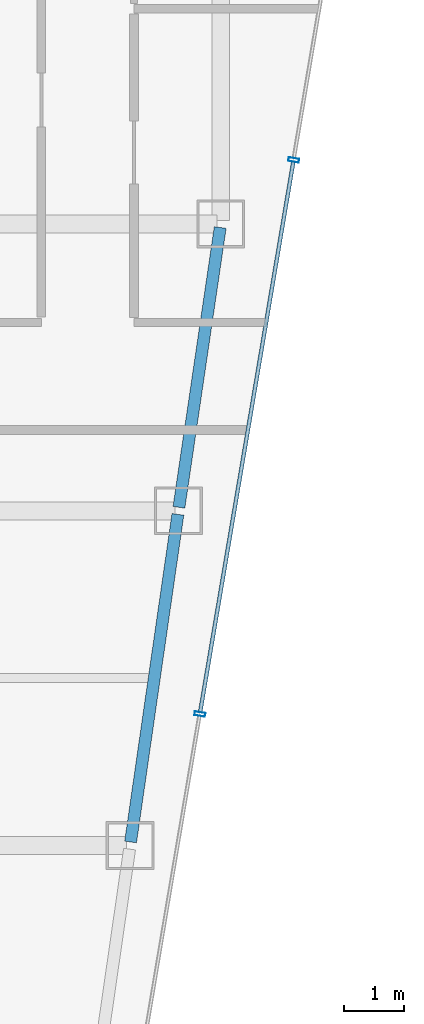
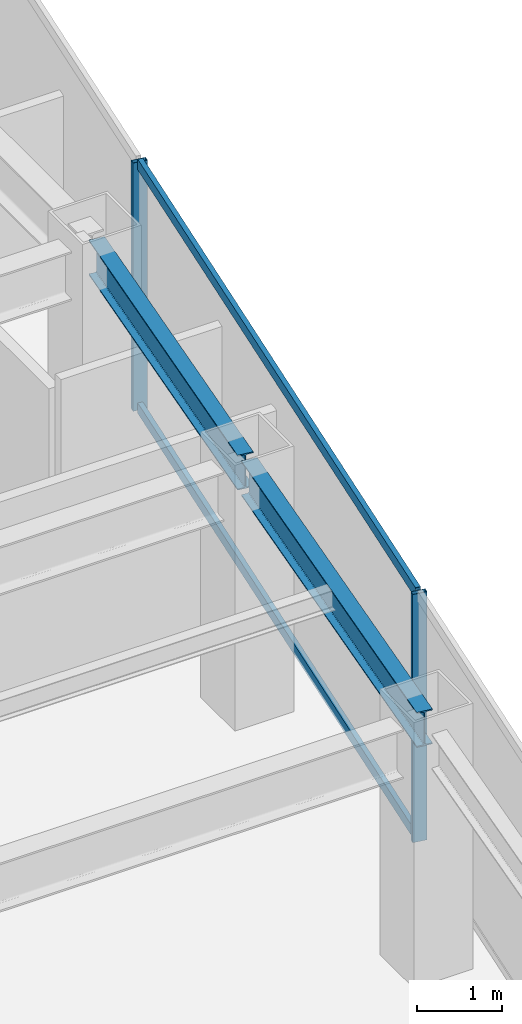
# One storey, part 22 of 35: 4 members, 2 beams, 1 element without a shape of its own.
"""IFC4 building model written with IfcOpenShell, lengths in metres."""

import ifcopenshell
import ifcopenshell.guid

model = None  # the IFC model being written
_history = None  # IfcOwnerHistory: only IFC2X3 demands one
_inside = {}  # id of a spatial element -> (the spatial element, [elements in it])
_under = {}  # id of a project, library or spatial element -> (it, [spatial elements below it])
_declared = {}  # id of a project -> (the project, [libraries it declares])
_typed = {}  # id of a type object -> (the type object, [elements of that type])
_made_of = {}  # id of a material, layer set ... -> (it, [elements and type objects made of it])


def new_model(schema):
    """Start an empty IFC model of exactly this schema.

    Asked for "IFC4X3", IfcOpenShell would pick the latest addendum, in which some entities
    have other attributes; the version numbers below select the first issue.
    IFC2X3 requires an IfcOwnerHistory on every rooted entity: one is made here for all.
    """
    global model, _history
    if schema == "IFC4X3":
        model = ifcopenshell.file(schema_version=(4, 3, 0, 0))
    else:
        model = ifcopenshell.file(schema=schema)
    _inside.clear()
    _under.clear()
    _declared.clear()
    _typed.clear()
    _made_of.clear()
    _history = None
    if model.schema == "IFC2X3":
        org = make("IfcOrganization", Name="unknown")
        user = make(
            "IfcPersonAndOrganization",
            ThePerson=make("IfcPerson", FamilyName="unknown"),
            TheOrganization=org,
        )
        app = make(
            "IfcApplication",
            ApplicationDeveloper=org,
            Version="unknown",
            ApplicationFullName="unknown",
            ApplicationIdentifier="unknown",
        )
        _history = make(
            "IfcOwnerHistory",
            OwningUser=user,
            OwningApplication=app,
            ChangeAction="ADDED",
            CreationDate=0,
        )
    return model


def make(cls, **values):
    """One entity of the class cls with the attributes given. An attribute that is None is left unset."""
    return model.create_entity(
        cls, **{name: value for name, value in values.items() if value is not None}
    )


def rooted(cls, **values):
    """An entity with a GlobalId (a new one), such as an element, a storey or a relation."""
    return make(cls, GlobalId=ifcopenshell.guid.new(), OwnerHistory=_history, **values)


def si_unit(unit_type, name, prefix=None):
    """IfcSIUnit, for example si_unit("LENGTHUNIT", "METRE", prefix="MILLI")."""
    return make("IfcSIUnit", UnitType=unit_type, Prefix=prefix, Name=name)


def assignment(units):
    """IfcUnitAssignment: the units of a project."""
    return None if units is None else make("IfcUnitAssignment", Units=units)


def point(xyz):
    """IfcCartesianPoint."""
    return None if xyz is None else make("IfcCartesianPoint", Coordinates=xyz)


def direction(xyz):
    """IfcDirection."""
    return None if xyz is None else make("IfcDirection", DirectionRatios=xyz)


def frame(location, z_axis=None, x_axis=None):
    """IfcAxis2Placement3D, a coordinate frame: its origin and axes. An axis left out is left unset."""
    return make(
        "IfcAxis2Placement3D",
        Location=point(location),
        Axis=direction(z_axis),
        RefDirection=direction(x_axis),
    )


def frame_2d(location, x_axis=None):
    """IfcAxis2Placement2D, a coordinate frame in the plane: its origin and x axis."""
    return make(
        "IfcAxis2Placement2D", Location=point(location), RefDirection=direction(x_axis)
    )


def origin():
    """The frame at (0, 0, 0) with its axes left unset."""
    return frame((0.0, 0.0, 0.0))


def origin_2d():
    """The frame at (0, 0) in the plane with its x axis left unset."""
    return frame_2d((0.0, 0.0))


def place(relative_to, where):
    """IfcLocalPlacement: puts the frame where relative to a parent placement (None: the world)."""
    return make(
        "IfcLocalPlacement", PlacementRelTo=relative_to, RelativePlacement=where
    )


def context(
    kind, dimensions, precision=None, world=None, true_north=None, identifier=None
):
    """IfcGeometricRepresentationContext, for example the 3D "Model" context."""
    return make(
        "IfcGeometricRepresentationContext",
        ContextIdentifier=identifier,
        ContextType=kind,
        CoordinateSpaceDimension=dimensions,
        Precision=precision,
        WorldCoordinateSystem=world,
        TrueNorth=true_north,
    )


def subcontext(parent, identifier, kind, view, scale=None):
    """IfcGeometricRepresentationSubContext, for example "Body" below "Model"."""
    return make(
        "IfcGeometricRepresentationSubContext",
        ContextIdentifier=identifier,
        ContextType=kind,
        ParentContext=parent,
        TargetScale=scale,
        TargetView=view,
    )


def project(units=None, contexts=None):
    """IfcProject with its units and contexts."""
    return rooted(
        "IfcProject",
        Name="project",
        RepresentationContexts=contexts,
        UnitsInContext=assignment(units),
    )


def spatial(cls, under=None, at=None, **own):
    """A site, building, storey or space (cls), placed at a placement, below another one or the project."""
    s = rooted(cls, ObjectPlacement=at, **own)
    if under is not None:
        _under.setdefault(under.id(), (under, []))[1].append(s)
    return s


def profile(cls, at=None, kind="AREA", **sizes):
    """A parametric profile (cls). Its sizes go by their IFC names, for example OverallWidth=200.0."""
    return make(cls, ProfileType=kind, Position=at, **sizes)


def hollow_rectangle(**sizes):
    """IfcRectangleHollowProfileDef."""
    return profile("IfcRectangleHollowProfileDef", **sizes)


def i_section(**sizes):
    """IfcIShapeProfileDef."""
    return profile("IfcIShapeProfileDef", **sizes)


def extrude(swept, where, along, depth):
    """IfcExtrudedAreaSolid: the profile swept, set in the frame where, extruded along a direction by depth."""
    return make(
        "IfcExtrudedAreaSolid",
        SweptArea=swept,
        Position=where,
        ExtrudedDirection=direction(along),
        Depth=depth,
    )


def shape(context_of_items, identifier, shape_type, items):
    """IfcShapeRepresentation: the items that make up one representation, for example the "Body"."""
    return make(
        "IfcShapeRepresentation",
        ContextOfItems=context_of_items,
        RepresentationIdentifier=identifier,
        RepresentationType=shape_type,
        Items=items,
    )


def material(Name=None, Category=None):
    """IfcMaterial."""
    return make("IfcMaterial", Name=Name, Category=Category)


def material_profile(
    of_material, cross_section, Name=None, Category=None, Priority=None
):
    """IfcMaterialProfile: a cross section and its material."""
    return make(
        "IfcMaterialProfile",
        Name=Name,
        Material=of_material,
        Profile=cross_section,
        Priority=Priority,
        Category=Category,
    )


def profile_set(profiles, Name=None, composite=None):
    """IfcMaterialProfileSet."""
    return make(
        "IfcMaterialProfileSet",
        Name=Name,
        MaterialProfiles=profiles,
        CompositeProfile=composite,
    )


def made_of(thing, what):
    """Note that an element or type object is made of a material, layer set ...; save() writes the relation."""
    if what is not None:
        _made_of.setdefault(what.id(), (what, []))[1].append(thing)
    return thing


def type_object(cls, material=None, **own):
    """A type object (cls), such as IfcWallType, which elements share."""
    return made_of(rooted(cls, **own), material)


def element(
    cls,
    number,
    at=None,
    inside=None,
    cuts=None,
    type_object=None,
    material=None,
    context=None,
    identifier="Body",
    shape_type=None,
    held_by="IfcProductDefinitionShape",
    body=None,
    shapes=None,
    **own,
):
    """One element of the class cls, such as IfcWall. Its Tag is "e" and its number.

    at: its placement. inside: the storey or other place that contains it. cuts: it is an
    opening in that element (IfcRelVoidsElement). A single representation is given by context,
    identifier, shape_type and body (its items); several are given by shapes. held_by: the class
    of the entity that holds the representations. save() writes the other relations.
    """
    e = rooted(cls, Tag="e%d" % number, ObjectPlacement=at, **own)
    if body is not None:
        shapes = [shape(context, identifier, shape_type, body)]
    if shapes is not None:
        e.Representation = make(held_by, Representations=shapes)
    if inside is not None:
        _inside.setdefault(inside.id(), (inside, []))[1].append(e)
    if cuts is not None:
        rooted(
            "IfcRelVoidsElement", RelatingBuildingElement=cuts, RelatedOpeningElement=e
        )
    if type_object is not None:
        _typed.setdefault(type_object.id(), (type_object, []))[1].append(e)
    return made_of(e, material)


def aggregate(whole, parts):
    """IfcRelAggregates: a whole, such as a stair, and the parts it consists of."""
    return rooted("IfcRelAggregates", RelatingObject=whole, RelatedObjects=parts)


def save(model, path):
    """Write the relations noted so far, then the file.

    IfcRelAggregates (storeys below a building ...), IfcRelContainedInSpatialStructure (elements
    in a storey), IfcRelDefinesByType, IfcRelAssociatesMaterial and IfcRelDeclares: one each for
    every whole, place, type object, material and project.
    """
    for whole, parts in _under.values():
        aggregate(whole, parts)
    for where, things in _inside.values():
        rooted(
            "IfcRelContainedInSpatialStructure",
            RelatedElements=things,
            RelatingStructure=where,
        )
    for kind, things in _typed.values():
        rooted("IfcRelDefinesByType", RelatedObjects=things, RelatingType=kind)
    for what, things in _made_of.values():
        rooted("IfcRelAssociatesMaterial", RelatedObjects=things, RelatingMaterial=what)
    for by, libraries in _declared.values():
        rooted("IfcRelDeclares", RelatingContext=by, RelatedDefinitions=libraries)
    model.write(path)


model = new_model("IFC4")

# Units and contexts
model_context = context("Model", 3, precision=1e-05, world=origin(), true_north=direction((0.0, 1.0)))
body_context = subcontext(model_context, "Body", "Model", "MODEL_VIEW")
ifc_project = project(units=[si_unit("LENGTHUNIT", "METRE"), si_unit("AREAUNIT", "SQUARE_METRE"), si_unit("VOLUMEUNIT", "CUBIC_METRE"), si_unit("PLANEANGLEUNIT", "RADIAN"), si_unit("MASSUNIT", "GRAM", prefix="KILO")], contexts=[model_context])

# Site, building, storey
site_placement = place(None, origin())
site = spatial("IfcSite", under=ifc_project, at=site_placement, CompositionType="ELEMENT")
building_placement = place(site_placement, origin())
building = spatial("IfcBuilding", under=site, at=building_placement, Name="Saevonmaru Cultural Tower", CompositionType="ELEMENT")
storey_placement = place(building_placement, frame((0.0, 0.0, 213.199951171875)))
storey = spatial("IfcBuildingStorey", under=building, at=storey_placement, Name="L49", CompositionType="ELEMENT", Elevation=213.199951171875)

# Beams
ifc_material_1 = material(Name="Steel SM355", Category="steel")
ifc_material_profile_1 = material_profile(ifc_material_1, i_section(OverallWidth=0.199951171875, OverallDepth=0.5, WebThickness=0.010009765625, FlangeThickness=0.01611328125, FilletRadius=0.02001953125, at=origin_2d()), Name="H-500x200x10x16")
ifc_profile_set_1 = profile_set([ifc_material_profile_1], Name="Steel SM355")
beam_type = type_object("IfcBeamType", Name="BM-SP-H500", PredefinedType="SPANDREL", material=ifc_profile_set_1)
beam_1_placement = place(storey_placement, frame((51.691650390625, 32.059326171875, 3.300048828125), z_axis=(0.142964121327, 0.989727871697, 0.0), x_axis=(-0.989727871697, 0.142964121327, 0.0)))
element("IfcBeam", 1, at=beam_1_placement, inside=storey, type_object=beam_type, Name="L49 East Splayed Spandrel 3", PredefinedType="SPANDREL", context=body_context, shape_type="SweptSolid", body=[
    extrude(i_section(OverallWidth=0.199951171875, OverallDepth=0.5, WebThickness=0.010009765625, FlangeThickness=0.01611328125, FilletRadius=0.02001953125, at=origin_2d()), origin(), (0.0, 0.0, 1.0), 5.5380859375),
])
beam_2_placement = place(storey_placement, frame((52.500732421875, 37.659423828125, 3.300048828125), z_axis=(0.145912860028, 0.989297446312, 0.0), x_axis=(-0.989297446312, 0.145912860028, 0.0)))
element("IfcBeam", 2, at=beam_2_placement, inside=storey, type_object=beam_type, Name="L49 East Splayed Spandrel 4", PredefinedType="SPANDREL", context=body_context, shape_type="SweptSolid", body=[
    extrude(i_section(OverallWidth=0.199951171875, OverallDepth=0.5, WebThickness=0.010009765625, FlangeThickness=0.01611328125, FilletRadius=0.02001953125, at=origin_2d()), origin(), (0.0, 0.0, 1.0), 4.731689453125),
])

# Curtain wall, members
ifc_material_2 = material(Name="Satin Bronze Anodised Aluminium", Category="aluminium")
curtain_wall_type = type_object("IfcCurtainWallType", Name="CW-TYP-B", PredefinedType="NOTDEFINED", material=ifc_material_2)
curtain_wall_placement = place(storey_placement, origin())
curtain_wall = element("IfcCurtainWall", 3, at=curtain_wall_placement, inside=storey, type_object=curtain_wall_type, Name="L49 Unitised Curtain Wall E8", PredefinedType="NOTDEFINED")
ifc_material_profile_2 = material_profile(ifc_material_2, hollow_rectangle(XDim=0.06494140625, YDim=0.179931640625, WallThickness=0.00390625, at=origin_2d()), Name="ALU-MULL-180x65x4")
ifc_profile_set_2 = profile_set([ifc_material_profile_2], Name="Satin Bronze Anodised Aluminium")
member_type_1 = type_object("IfcMemberType", Name="ML-CW-180x65", PredefinedType="MULLION", material=ifc_profile_set_2)
member_1_placement = place(storey_placement, frame((52.85107421875, 34.199951171875, 0.0), z_axis=(0.0, 0.0, 1.0), x_axis=(0.16692169721, 0.985970155228, 0.0)))
member_1 = element("IfcMember", 4, at=member_1_placement, type_object=member_type_1, Name="CW-TW-L49-E8 mullion 3", PredefinedType="MULLION", context=body_context, shape_type="SweptSolid", body=[
    extrude(hollow_rectangle(XDim=0.06494140625, YDim=0.179931640625, WallThickness=0.00390625, at=origin_2d()), origin(), (0.0, 0.0, 1.0), 3.550048828125),
])
member_2_placement = place(storey_placement, frame((54.420654296875, 43.470458984375, 0.0), z_axis=(0.0, 0.0, 1.0), x_axis=(0.16692169721, 0.985970155228, 0.0)))
member_2 = element("IfcMember", 5, at=member_2_placement, type_object=member_type_1, Name="CW-TW-L49-E8 mullion 4", PredefinedType="MULLION", context=body_context, shape_type="SweptSolid", body=[
    extrude(hollow_rectangle(XDim=0.06494140625, YDim=0.179931640625, WallThickness=0.00390625, at=origin_2d()), origin(), (0.0, 0.0, 1.0), 3.550048828125),
])
ifc_material_profile_3 = material_profile(ifc_material_2, hollow_rectangle(XDim=0.06494140625, YDim=0.14990234375, WallThickness=0.00390625, at=origin_2d()), Name="ALU-TRAN-150x65x4")
ifc_profile_set_3 = profile_set([ifc_material_profile_3], Name="Satin Bronze Anodised Aluminium")
member_type_2 = type_object("IfcMemberType", Name="TR-CW-150x65", PredefinedType="USERDEFINED", material=ifc_profile_set_3)
member_3_placement = place(storey_placement, frame((52.8564453125, 34.23193359375, 0.032470703125), z_axis=(0.166916960754, 0.985970957084, 0.0), x_axis=(-0.985970957084, 0.166916960754, 0.0)))
member_3 = element("IfcMember", 6, at=member_3_placement, type_object=member_type_2, Name="CW-TW-L49-E8 transom 3.1", ObjectType="TRANSOM", PredefinedType="USERDEFINED", context=body_context, shape_type="SweptSolid", body=[
    extrude(hollow_rectangle(XDim=0.06494140625, YDim=0.14990234375, WallThickness=0.00390625, at=origin_2d()), origin(), (0.0, 0.0, 1.0), 9.337646484375),
])
member_4_placement = place(storey_placement, frame((52.8564453125, 34.23193359375, 3.517578125), z_axis=(0.166916960754, 0.985970957084, 0.0), x_axis=(-0.985970957084, 0.166916960754, 0.0)))
member_4 = element("IfcMember", 7, at=member_4_placement, type_object=member_type_2, Name="CW-TW-L49-E8 transom 3.2", ObjectType="TRANSOM", PredefinedType="USERDEFINED", context=body_context, shape_type="SweptSolid", body=[
    extrude(hollow_rectangle(XDim=0.06494140625, YDim=0.14990234375, WallThickness=0.00390625, at=origin_2d()), origin(), (0.0, 0.0, 1.0), 9.337646484375),
])
aggregate(curtain_wall, [member_1, member_2, member_3, member_4])

save(model, "model.ifc")
